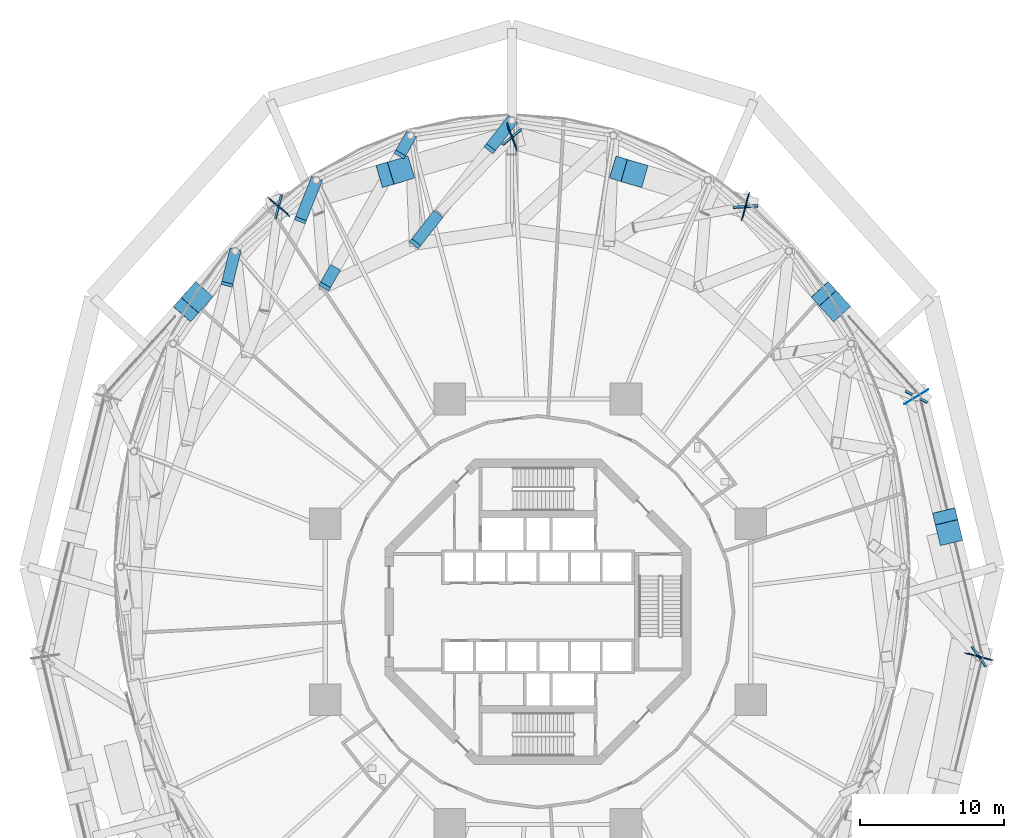
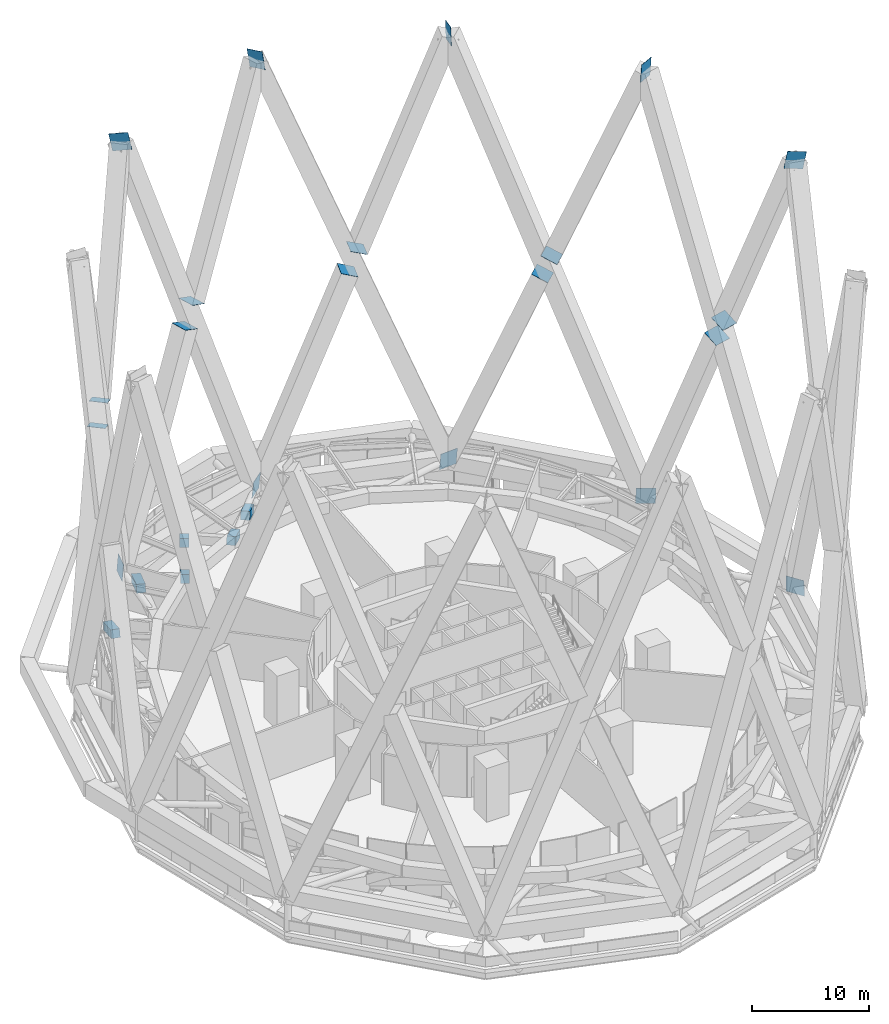
# One storey, part 57 of 65: 26 discrete accessories.
"""IFC4 building model written with IfcOpenShell, lengths in metres."""

from ifc_helpers import new_model, si_unit, direction, frame, origin, origin_2d, place, context, subcontext, project, spatial, rectangle, extrude, material, layer, layer_set, type_object, element, save


model = new_model("IFC4")

# Units and contexts
model_context = context("Model", 3, precision=1e-05, world=origin(), true_north=direction((0.0, 1.0)))
body_context = subcontext(model_context, "Body", "Model", "MODEL_VIEW")
ifc_project = project(units=[si_unit("LENGTHUNIT", "METRE"), si_unit("AREAUNIT", "SQUARE_METRE"), si_unit("VOLUMEUNIT", "CUBIC_METRE"), si_unit("PLANEANGLEUNIT", "RADIAN"), si_unit("MASSUNIT", "GRAM", prefix="KILO")], contexts=[model_context])

# Site, building, storey
site_placement = place(None, origin())
site = spatial("IfcSite", under=ifc_project, at=site_placement, CompositionType="ELEMENT")
building_placement = place(site_placement, origin())
building = spatial("IfcBuilding", under=site, at=building_placement, Name="Nagisa Residences", CompositionType="ELEMENT")
storey_placement = place(building_placement, frame((0.0, 0.0, 114.0)))
storey = spatial("IfcBuildingStorey", under=building, at=storey_placement, Name="L28", CompositionType="ELEMENT", Elevation=114.0)

# Discrete accessories
ifc_material_1 = material(Name="Steel ASTM A572 Gr 50", Category="steel")
discrete_accessory_type_1 = type_object("IfcDiscreteAccessoryType", Name="Belt node casting BX 800x800x45", PredefinedType="BRACKET", material=ifc_material_1)
for number, where, z_axis, x_axis, name in (
    (1, (-1.800048828125, 34.1328125, 0.60009765625), (-0.577886250681, -0.734836250866, 0.355053750419), (0.786050685249, -0.618162050128, 0.0), "Belt node 2E07"),
    (2, (-6.9921875, 27.531494140625, 3.7900390625), (-0.577886250681, -0.734836250866, 0.355053750419), (0.786050685249, -0.618162050128, 0.0), "Belt node 2E07"),
):
    element("IfcDiscreteAccessory", number, at=place(storey_placement, frame(where, z_axis=z_axis, x_axis=x_axis)), inside=storey, type_object=discrete_accessory_type_1, Name=name, PredefinedType="BRACKET", context=body_context, shape_type="SweptSolid", body=[
        extrude(rectangle(XDim=0.800048828125, YDim=0.800048828125, at=origin_2d()), origin(), (0.0, 0.0, 1.0), 2.675537109375),
    ])
discrete_accessory_1_placement = place(storey_placement, frame((-8.838623046875, 33.075927734375, 0.60009765625), z_axis=(-0.468808890516, -0.821482418687, 0.324630343563), x_axis=(0.86852065513, -0.495652974987, 0.0)))
element("IfcDiscreteAccessory", 3, at=discrete_accessory_1_placement, inside=storey, type_object=discrete_accessory_type_1, Name="Belt node 2E08", PredefinedType="BRACKET", context=body_context, shape_type="SweptSolid", body=[
    extrude(rectangle(XDim=0.800048828125, YDim=0.800048828125, at=origin_2d()), origin(), (0.0, 0.0, 1.0), 1.601806640625),
])
discrete_accessory_2_placement = place(storey_placement, frame((-14.1171875, 23.826416015625, 4.2548828125), z_axis=(-0.468627594868, -0.821568879706, 0.324673302302), x_axis=(0.868625608496, -0.495469022507, 0.0)))
element("IfcDiscreteAccessory", 4, at=discrete_accessory_2_placement, inside=storey, type_object=discrete_accessory_type_1, Name="Belt node 2E08", PredefinedType="BRACKET", context=body_context, shape_type="SweptSolid", body=[
    extrude(rectangle(XDim=0.800048828125, YDim=0.800048828125, at=origin_2d()), origin(), (0.0, 0.0, 1.0), 1.494140625),
])
discrete_accessory_3_placement = place(storey_placement, frame((-15.3974609375, 29.9775390625, 0.60009765625), z_axis=(-0.35222497204, -0.885507441315, 0.303008482469), x_axis=(0.929190684727, -0.36960069185, 0.0)))
element("IfcDiscreteAccessory", 5, at=discrete_accessory_3_placement, inside=storey, type_object=discrete_accessory_type_1, Name="Belt node 2E09", PredefinedType="BRACKET", context=body_context, shape_type="SweptSolid", body=[
    extrude(rectangle(XDim=0.800048828125, YDim=0.800048828125, at=origin_2d()), origin(), (0.0, 0.0, 1.0), 3.135009765625),
])
discrete_accessory_4_placement = place(storey_placement, frame((-21.02978515625, 25.048583984375, 0.60009765625), z_axis=(-0.231418969876, -0.929028348602, 0.288706750659), x_axis=(0.970348125273, -0.241711637658, 0.0)))
element("IfcDiscreteAccessory", 6, at=discrete_accessory_4_placement, inside=storey, type_object=discrete_accessory_type_1, Name="Belt node 2E10", PredefinedType="BRACKET", context=body_context, shape_type="SweptSolid", body=[
    extrude(rectangle(XDim=0.800048828125, YDim=0.800048828125, at=origin_2d()), origin(), (0.0, 0.0, 1.0), 2.47607421875),
])
ifc_material_2 = material(Name="Steel ASTM A572 Gr 50", Category="steel")
ifc_layer = layer(ifc_material_2, 0.030029296875)
ifc_layer_set = layer_set([ifc_layer], Name="Node plate")
discrete_accessory_type_2 = type_object("IfcDiscreteAccessoryType", Name="Node plate", PredefinedType="ANCHORPLATE", material=ifc_layer_set)
discrete_accessory_5_placement = place(storey_placement, frame((30.622802734375, -3.126220703125, 3.69873046875), z_axis=(0.816496580928, 0.571547606649, 0.081649658093), x_axis=(-0.574191481323, 0.81864131204, 0.011425628951)))
element("IfcDiscreteAccessory", 7, at=discrete_accessory_5_placement, inside=storey, type_object=discrete_accessory_type_2, Name="Node plate ST3B01", PredefinedType="ANCHORPLATE", context=body_context, shape_type="SweptSolid", body=[
    extrude(rectangle(XDim=1.719970703125, YDim=1.719970703125, at=origin_2d()), origin(), (0.0, 0.0, 1.0), 0.02978515625),
])
for number, where, z_axis, x_axis, name in (
    (8, (26.29638671875, 14.943115234375, 3.701416015625), (-0.461557375421, -0.882627261771, -0.089072475959), (-0.886571803172, 0.462444234999, 0.011651924171), "Node plate ST3B02"),
    (9, (14.41650390625, 28.156494140625, 3.701416015625), (0.065120329406, -0.993085023434, -0.097680494108), (-0.997722343512, -0.066523195908, 0.011170929388), "Node plate ST3B03"),
    (10, (-1.8095703125, 32.98876953125, 3.701416015625), (0.635998728004, -0.766460005543, -0.089692128308), (-0.768929499985, -0.639250917721, 0.010280478815), "Node plate ST3B04"),
    (11, (-18.031982421875, 28.145263671875, 3.701171875), (0.964519700436, -0.251261434567, -0.081052075667), (-0.251314712588, -0.967856713025, 0.009710730581), "Node plate ST3B05"),
    (12, (26.28173828125, 14.942626953125, 48.199951171875), (0.520462828118, -0.853884327381, 0.0), (-0.107769521695, -0.065688089414, -0.992003429985), "Node plate CD3001"),
):
    element("IfcDiscreteAccessory", number, at=place(storey_placement, frame(where, z_axis=z_axis, x_axis=x_axis)), inside=storey, type_object=discrete_accessory_type_2, Name=name, PredefinedType="ANCHORPLATE", context=body_context, shape_type="SweptSolid", body=[
        extrude(rectangle(XDim=1.719970703125, YDim=1.719970703125, at=origin_2d()), origin(), (0.0, 0.0, 1.0), 0.030029296875),
    ])
discrete_accessory_6_placement = place(storey_placement, frame((28.362548828125, 6.31982421875, 24.929443359375), z_axis=(0.089125086449, -0.37270490697, 0.923659986838), x_axis=(0.972578891654, 0.232573213222, 0.0)))
element("IfcDiscreteAccessory", 13, at=discrete_accessory_6_placement, inside=storey, type_object=discrete_accessory_type_2, Name="Node plate CD3002A", PredefinedType="ANCHORPLATE", context=body_context, shape_type="SweptSolid", body=[
    extrude(rectangle(XDim=1.60009765625, YDim=1.60009765625, at=origin_2d()), origin(), (0.0, 0.0, 1.0), 0.030029296875),
])
discrete_accessory_7_placement = place(storey_placement, frame((28.56201171875, 5.4921875, 26.970458984375), z_axis=(-0.089796666364, 0.375513332069, -0.922456663561), x_axis=(-0.972578891654, -0.232573213222, 0.0)))
element("IfcDiscreteAccessory", 14, at=discrete_accessory_7_placement, inside=storey, type_object=discrete_accessory_type_2, Name="Node plate CD3002B", PredefinedType="ANCHORPLATE", context=body_context, shape_type="SweptSolid", body=[
    extrude(rectangle(XDim=1.60009765625, YDim=1.60009765625, at=origin_2d()), origin(), (0.0, 0.0, 1.0), 0.02978515625),
])
for number, where, z_axis, x_axis, name in (
    (15, (30.638916015625, -3.103271484375, 48.199462890625), (-0.261593006077, -0.964624209911, 0.03269912576), (-0.199136456272, 0.020791201981, -0.979751191734), "Node plate CD3002B"),
    (16, (14.431884765625, 28.1376953125, 48.199462890625), (-0.96666122846, 0.253953373579, 0.032768177236), (-0.085880527892, -0.200987560441, -0.975821979398), "Node plate CD3003"),
):
    element("IfcDiscreteAccessory", number, at=place(storey_placement, frame(where, z_axis=z_axis, x_axis=x_axis)), inside=storey, type_object=discrete_accessory_type_2, Name=name, PredefinedType="ANCHORPLATE", context=body_context, shape_type="SweptSolid", body=[
        extrude(rectangle(XDim=1.719970703125, YDim=1.719970703125, at=origin_2d()), origin(), (0.0, 0.0, 1.0), 0.02978515625),
    ])
for number, where, z_axis, x_axis, name in (
    (17, (20.070556640625, 21.8505859375, 24.8896484375), (0.252165897338, -0.276569048693, 0.927319751501), (0.738955843913, 0.673753857686, 0.0), "Node plate CD3004A"),
    (18, (20.636474609375, 21.220703125, 27.010498046875), (-0.252165897338, 0.276569048693, -0.927319751501), (-0.738955843913, -0.673753857686, 0.0), "Node plate CD3004B"),
):
    element("IfcDiscreteAccessory", number, at=place(storey_placement, frame(where, z_axis=z_axis, x_axis=x_axis)), inside=storey, type_object=discrete_accessory_type_2, Name=name, PredefinedType="ANCHORPLATE", context=body_context, shape_type="SweptSolid", body=[
        extrude(rectangle(XDim=1.60009765625, YDim=1.60009765625, at=origin_2d()), origin(), (0.0, 0.0, 1.0), 0.030029296875),
    ])
discrete_accessory_8_placement = place(storey_placement, frame((-1.785888671875, 32.982666015625, 48.199462890625), z_axis=(-0.933203035062, -0.357051596024, 0.040574045003), x_axis=(0.044379427847, -0.226558280578, -0.972986028618)))
element("IfcDiscreteAccessory", 19, at=discrete_accessory_8_placement, inside=storey, type_object=discrete_accessory_type_2, Name="Node plate CD3005", PredefinedType="ANCHORPLATE", context=body_context, shape_type="SweptSolid", body=[
    extrude(rectangle(XDim=1.719970703125, YDim=1.719970703125, at=origin_2d()), origin(), (0.0, 0.0, 1.0), 0.030029296875),
])
discrete_accessory_9_placement = place(storey_placement, frame((5.905517578125, 30.6796875, 24.843505859375), z_axis=(0.343743054174, -0.106396659625, 0.933016861331), x_axis=(0.295683728071, 0.955285890691, 0.0)))
element("IfcDiscreteAccessory", 20, at=discrete_accessory_9_placement, inside=storey, type_object=discrete_accessory_type_2, Name="Node plate CD3006A", PredefinedType="ANCHORPLATE", context=body_context, shape_type="SweptSolid", body=[
    extrude(rectangle(XDim=1.60009765625, YDim=1.60009765625, at=origin_2d()), origin(), (0.0, 0.0, 1.0), 0.02978515625),
])
discrete_accessory_10_placement = place(storey_placement, frame((6.712158203125, 30.439208984375, 27.056640625), z_axis=(-0.341418283334, 0.097548080953, -0.934835775796), x_axis=(-0.274721127897, -0.961523947641, 0.0)))
element("IfcDiscreteAccessory", 21, at=discrete_accessory_10_placement, inside=storey, type_object=discrete_accessory_type_2, Name="Node plate CD3006B", PredefinedType="ANCHORPLATE", context=body_context, shape_type="SweptSolid", body=[
    extrude(rectangle(XDim=1.60009765625, YDim=1.60009765625, at=origin_2d()), origin(), (0.0, 0.0, 1.0), 0.030029296875),
])
discrete_accessory_11_placement = place(storey_placement, frame((-18.0078125, 28.153076171875, 48.19921875), z_axis=(-0.642616319023, -0.764632075799, 0.048806302711), x_axis=(0.12805298365, -0.169986513943, -0.977091100387)))
element("IfcDiscreteAccessory", 22, at=discrete_accessory_11_placement, inside=storey, type_object=discrete_accessory_type_2, Name="Node plate CD3007", PredefinedType="ANCHORPLATE", context=body_context, shape_type="SweptSolid", body=[
    extrude(rectangle(XDim=1.719970703125, YDim=1.719970703125, at=origin_2d()), origin(), (0.0, 0.0, 1.0), 0.030029296875),
])
discrete_accessory_12_placement = place(storey_placement, frame((-10.31201171875, 30.439208984375, 24.843505859375), z_axis=(0.344031231028, 0.098294637437, 0.933799055648), x_axis=(-0.274721127897, 0.961523947641, 0.0)))
element("IfcDiscreteAccessory", 23, at=discrete_accessory_12_placement, inside=storey, type_object=discrete_accessory_type_2, Name="Node plate CD3008A", PredefinedType="ANCHORPLATE", context=body_context, shape_type="SweptSolid", body=[
    extrude(rectangle(XDim=1.60009765625, YDim=1.60009765625, at=origin_2d()), origin(), (0.0, 0.0, 1.0), 0.02978515625),
])
for number, where, z_axis, x_axis, name in (
    (24, (-9.50537109375, 30.6796875, 27.056640625), (-0.341136617568, -0.105589905438, -0.934064548103), (0.295683728071, -0.955285890691, 0.0), "Node plate CD3008B"),
    (25, (-24.236328125, 21.220703125, 24.8896484375), (0.24452549678, 0.277128896351, 0.929196887765), (-0.749837855365, 0.661621637087, 0.0), "Node plate CD3010A"),
    (26, (-23.670654296875, 21.8505859375, 27.010498046875), (-0.24452549678, -0.277128896351, -0.929196887765), (0.749837855365, -0.661621637087, 0.0), "Node plate CD3010B"),
):
    element("IfcDiscreteAccessory", number, at=place(storey_placement, frame(where, z_axis=z_axis, x_axis=x_axis)), inside=storey, type_object=discrete_accessory_type_2, Name=name, PredefinedType="ANCHORPLATE", context=body_context, shape_type="SweptSolid", body=[
        extrude(rectangle(XDim=1.60009765625, YDim=1.60009765625, at=origin_2d()), origin(), (0.0, 0.0, 1.0), 0.030029296875),
    ])

save(model, "model.ifc")
